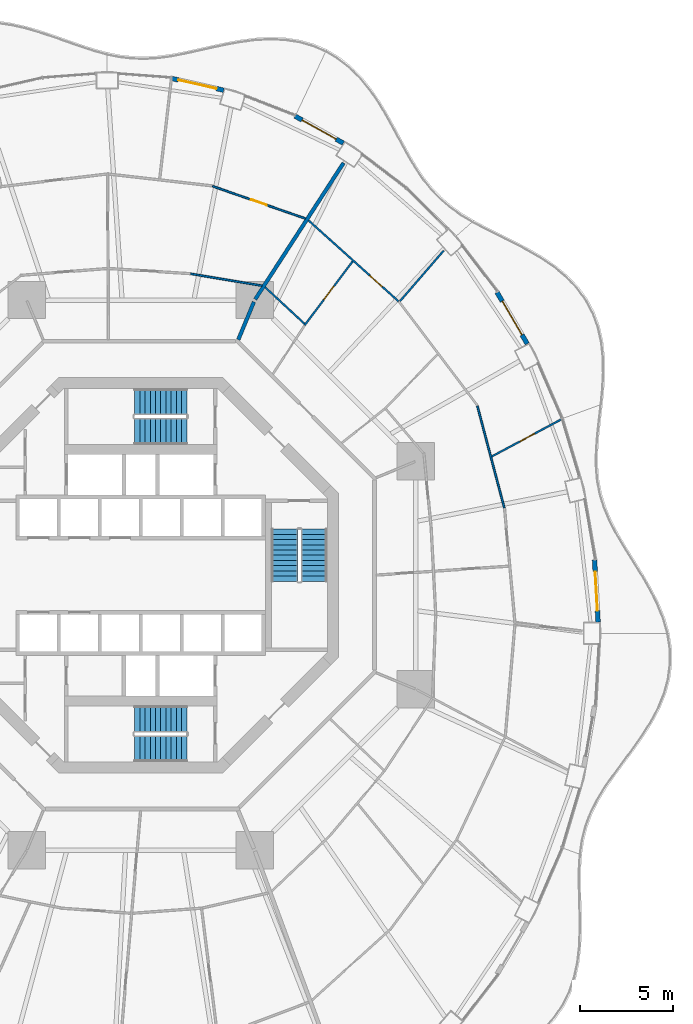
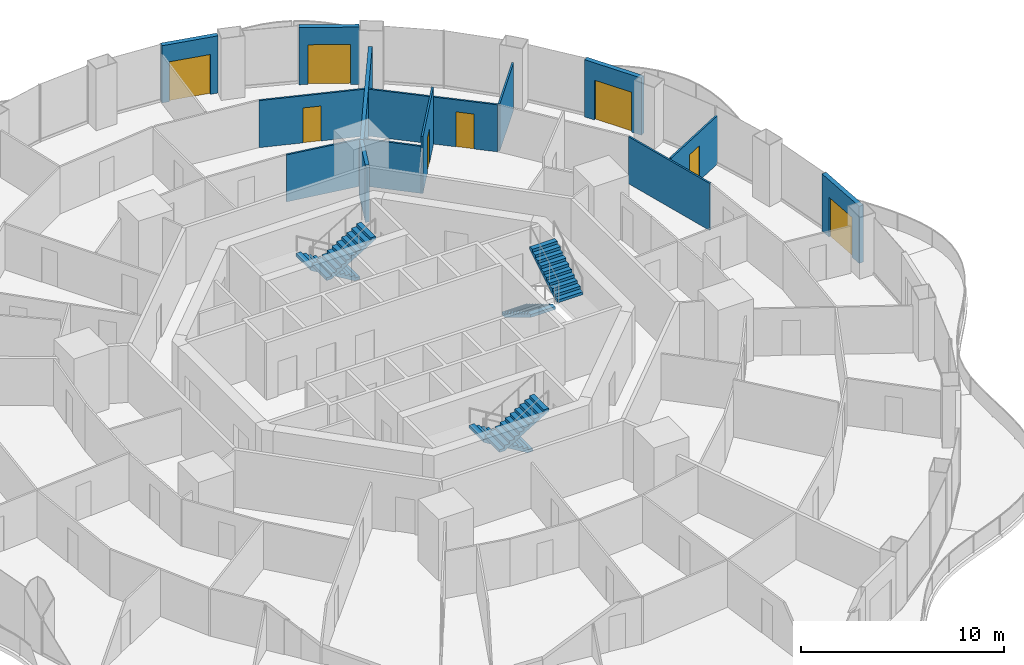
# One storey, part 16 of 19: 14 walls, 8 doors, 6 stair flights, 8 openings, 3 elements without a shape of their own.
"""IFC4 building model written with IfcOpenShell, lengths in metres."""

from ifc_helpers import new_model, si_unit, direction, frame, frame_2d, origin, place, context, subcontext, project, spatial, polyline, rectangle, outline, extrude, material, layer, layer_set, type_object, element, fill, aggregate, save


model = new_model("IFC4")

# Units and contexts
model_context = context("Model", 3, precision=1e-05, world=origin(), true_north=direction((0.0, 1.0)))
body_context = subcontext(model_context, "Body", "Model", "MODEL_VIEW")
ifc_project = project(units=[si_unit("LENGTHUNIT", "METRE"), si_unit("AREAUNIT", "SQUARE_METRE"), si_unit("VOLUMEUNIT", "CUBIC_METRE"), si_unit("PLANEANGLEUNIT", "RADIAN"), si_unit("MASSUNIT", "GRAM", prefix="KILO")], contexts=[model_context])

# Site, building, storey
site_placement = place(None, origin())
site = spatial("IfcSite", under=ifc_project, at=site_placement, CompositionType="ELEMENT")
building_placement = place(site_placement, origin())
building = spatial("IfcBuilding", under=site, at=building_placement, Name="Nagisa Residences", CompositionType="ELEMENT")
storey_placement = place(building_placement, frame((0.0, 0.0, 127.0)))
storey = spatial("IfcBuildingStorey", under=building, at=storey_placement, Name="L31", CompositionType="ELEMENT", Elevation=127.0)

# Walls
ifc_material_1 = material(Name="Gypsum board on steel studs", Category="steel")
ifc_layer_1 = layer(ifc_material_1, 0.199951171875)
ifc_layer_set_1 = layer_set([ifc_layer_1], Name="Apartment compartment wall EI60 200")
wall_type_1 = type_object("IfcWallType", Name="Apartment compartment wall EI60 200", PredefinedType="PARTITIONING", material=ifc_layer_set_1)
wall_1_placement = place(storey_placement, frame((5.24267578125, 12.6572265625, 0.0), z_axis=(0.0, 0.0, 1.0), x_axis=(0.38273085373, 0.923859888513, 0.0)))
element("IfcWall", 1, at=wall_1_placement, inside=storey, type_object=wall_type_1, Name="wall:L31:u00", PredefinedType="PARTITIONING", context=body_context, shape_type="SweptSolid", body=[
    extrude(rectangle(XDim=2.199462890625, YDim=0.199951171875, at=frame_2d((1.099609375, 0.0))), origin(), (0.0, 0.0, 1.0), 3.43994140625),
])
wall_2_placement = place(storey_placement, frame((6.150146484375, 14.823974609375, 0.0), z_axis=(0.0, 0.0, 1.0), x_axis=(0.543695254109, 0.839282711998, 0.0)))
element("IfcWall", 2, at=wall_2_placement, inside=storey, type_object=wall_type_1, Name="wall:L31:u01", PredefinedType="PARTITIONING", context=body_context, shape_type="SweptSolid", body=[
    extrude(rectangle(XDim=8.731201171875, YDim=0.199951171875, at=frame_2d((4.36572265625, 0.0))), origin(), (0.0, 0.0, 1.0), 2.827880859375),
])
ifc_material_2 = material(Name="Gypsum board on steel studs", Category="steel")
ifc_layer_2 = layer(ifc_material_2, 0.10009765625)
ifc_layer_set_2 = layer_set([ifc_layer_2], Name="Apartment partition 100")
wall_type_2 = type_object("IfcWallType", Name="Apartment partition 100", PredefinedType="PARTITIONING", material=ifc_layer_set_2)
wall_3_placement = place(storey_placement, frame((19.536865234375, 3.619873046875, 0.0), z_axis=(0.0, 0.0, 1.0), x_axis=(-0.255892560316, 0.966705227862, 0.0)))
element("IfcWall", 3, at=wall_3_placement, inside=storey, type_object=wall_type_2, Name="wall:L31:u21", PredefinedType="PARTITIONING", context=body_context, shape_type="SweptSolid", body=[
    extrude(rectangle(XDim=5.65869140625, YDim=0.10009765625, at=frame_2d((2.829345703125, 0.0))), origin(), (0.0, 0.0, 1.0), 2.827880859375),
])

# Wall, opening, door
wall_4_placement = place(storey_placement, frame((18.85693359375, 6.37841796875, 0.0), z_axis=(0.0, 0.0, 1.0), x_axis=(0.882223462934, 0.470830926607, 0.0)))
wall_4 = element("IfcWall", 4, at=wall_4_placement, inside=storey, type_object=wall_type_2, Name="wall:L31:u22", PredefinedType="PARTITIONING", context=body_context, shape_type="SweptSolid", body=[
    extrude(rectangle(XDim=4.333251953125, YDim=0.10009765625, at=frame_2d((2.16650390625, 0.0))), origin(), (0.0, 0.0, 1.0), 2.905029296875),
])
opening_1_placement = place(wall_4_placement, frame((1.716552734375, 0.0, 0.0)))
opening_1 = element("IfcOpeningElement", 5, at=opening_1_placement, cuts=wall_4, Name="Opening L31-U41", PredefinedType="OPENING", context=body_context, shape_type="SweptSolid", body=[
    extrude(rectangle(XDim=0.89990234375, YDim=2.10009765625, at=frame_2d((0.449951171875, 1.050048828125))), frame((0.0, 0.06005859375, 0.0), z_axis=(0.0, -1.0, 0.0), x_axis=(1.0, 0.0, 0.0)), (0.0, 0.0, 1.0), 0.1201171875),
])
ifc_material_3 = material(Name="Timber door set", Category="wood")
door_type_1 = type_object("IfcDoorType", Name="Apartment door 900x2100", OperationType="NOTDEFINED", PredefinedType="DOOR", material=ifc_material_3)
door_1_placement = place(opening_1_placement, origin())
door_1 = element("IfcDoor", 6, at=door_1_placement, inside=storey, type_object=door_type_1, Name="Door to master bedroom, Apartment 31C", OperationType="SINGLE_SWING_LEFT", OverallHeight=2.10009765625, OverallWidth=0.89990234375, PredefinedType="DOOR", context=body_context, shape_type="SweptSolid", body=[
    extrude(rectangle(XDim=0.89990234375, YDim=2.10009765625, at=frame_2d((0.449951171875, 1.050048828125))), frame((0.0, 0.02490234375, 0.0), z_axis=(0.0, -1.0, 0.0), x_axis=(1.0, 0.0, 0.0)), (0.0, 0.0, 1.0), 0.050048828125),
])
fill(opening_1, door_1)

# Wall
wall_5_placement = place(storey_placement, frame((13.926025390625, 14.71875, 0.0), z_axis=(0.0, 0.0, 1.0), x_axis=(0.653831857253, 0.756639876323, 0.0)))
element("IfcWall", 7, at=wall_5_placement, inside=storey, type_object=wall_type_2, Name="wall:L31:u28", PredefinedType="PARTITIONING", context=body_context, shape_type="SweptSolid", body=[
    extrude(rectangle(XDim=3.59765625, YDim=0.10009765625, at=frame_2d((1.798828125, 0.0))), origin(), (0.0, 0.0, 1.0), 2.827880859375),
])

# Wall, opening, door
wall_6_placement = place(storey_placement, frame((13.856201171875, 14.71435546875, 0.0), z_axis=(0.0, 0.0, 1.0), x_axis=(-0.743799395746, 0.668402916577, 0.0)))
wall_6 = element("IfcWall", 8, at=wall_6_placement, inside=storey, type_object=wall_type_2, Name="wall:L31:u29", PredefinedType="PARTITIONING", context=body_context, shape_type="SweptSolid", body=[
    extrude(rectangle(XDim=6.508544921875, YDim=0.10009765625, at=frame_2d((3.25439453125, 0.0))), origin(), (0.0, 0.0, 1.0), 2.827880859375),
])
opening_2_placement = place(wall_6_placement, frame((1.189697265625, 0.0, 0.0)))
opening_2 = element("IfcOpeningElement", 9, at=opening_2_placement, cuts=wall_6, Name="Opening L31-U42", PredefinedType="OPENING", context=body_context, shape_type="SweptSolid", body=[
    extrude(rectangle(XDim=0.89990234375, YDim=2.10009765625, at=frame_2d((0.449951171875, 1.050048828125))), frame((0.0, 0.06005859375, 0.0), z_axis=(0.0, -1.0, 0.0), x_axis=(1.0, 0.0, 0.0)), (0.0, 0.0, 1.0), 0.1201171875),
])
door_2_placement = place(opening_2_placement, frame((0.89990234375, 0.0, 0.0), x_axis=(-1.0, 0.0, 0.0)))
door_2 = element("IfcDoor", 10, at=door_2_placement, inside=storey, type_object=door_type_1, Name="Door to bedroom, Apartment 31C", OperationType="SINGLE_SWING_LEFT", OverallHeight=2.10009765625, OverallWidth=0.89990234375, PredefinedType="DOOR", context=body_context, shape_type="SweptSolid", body=[
    extrude(rectangle(XDim=0.89990234375, YDim=2.10009765625, at=frame_2d((0.449951171875, 1.050048828125))), frame((0.0, 0.02490234375, 0.0), z_axis=(0.0, -1.0, 0.0), x_axis=(1.0, 0.0, 0.0)), (0.0, 0.0, 1.0), 0.050048828125),
])
fill(opening_2, door_2)

wall_7_placement = place(storey_placement, frame((8.8095703125, 13.43408203125, 0.0), z_axis=(0.0, 0.0, 1.0), x_axis=(0.600491337497, 0.799631261014, 0.0)))
wall_7 = element("IfcWall", 11, at=wall_7_placement, inside=storey, type_object=wall_type_2, Name="wall:L31:u31", PredefinedType="PARTITIONING", context=body_context, shape_type="SweptSolid", body=[
    extrude(rectangle(XDim=4.292236328125, YDim=0.10009765625, at=frame_2d((2.14599609375, 0.0))), origin(), (0.0, 0.0, 1.0), 3.43994140625),
])
opening_3_placement = place(wall_7_placement, frame((1.72119140625, 0.0, 0.0)))
opening_3 = element("IfcOpeningElement", 12, at=opening_3_placement, cuts=wall_7, Name="Opening L31-U39", PredefinedType="OPENING", context=body_context, shape_type="SweptSolid", body=[
    extrude(rectangle(XDim=0.89990234375, YDim=2.10009765625, at=frame_2d((0.449951171875, 1.050048828125))), frame((0.0, 0.06005859375, 0.0), z_axis=(0.0, -1.0, 0.0), x_axis=(1.0, 0.0, 0.0)), (0.0, 0.0, 1.0), 0.1201171875),
])
door_3_placement = place(opening_3_placement, origin())
door_3 = element("IfcDoor", 13, at=door_3_placement, inside=storey, type_object=door_type_1, Name="Door to family bathroom, Apartment 31C", OperationType="SINGLE_SWING_LEFT", OverallHeight=2.10009765625, OverallWidth=0.89990234375, PredefinedType="DOOR", context=body_context, shape_type="SweptSolid", body=[
    extrude(rectangle(XDim=0.89990234375, YDim=2.10009765625, at=frame_2d((0.449951171875, 1.050048828125))), frame((0.0, 0.02490234375, 0.0), z_axis=(0.0, -1.0, 0.0), x_axis=(1.0, 0.0, 0.0)), (0.0, 0.0, 1.0), 0.050048828125),
])
fill(opening_3, door_3)

# Walls
wall_8_placement = place(storey_placement, frame((8.802978515625, 13.508056640625, 0.0), z_axis=(0.0, 0.0, 1.0), x_axis=(-0.733124766325, 0.680094167745, 0.0)))
element("IfcWall", 14, at=wall_8_placement, inside=storey, type_object=wall_type_2, Name="wall:L31:u32", PredefinedType="PARTITIONING", context=body_context, shape_type="SweptSolid", body=[
    extrude(rectangle(XDim=2.886474609375, YDim=0.10009765625, at=frame_2d((1.443359375, 0.0))), origin(), (0.0, 0.0, 1.0), 2.827880859375),
])
wall_9_placement = place(storey_placement, frame((6.5146484375, 15.5556640625, 0.0), z_axis=(0.0, 0.0, 1.0), x_axis=(-0.986271328884, 0.16513287323, 0.0)))
element("IfcWall", 15, at=wall_9_placement, inside=storey, type_object=wall_type_2, Name="wall:L31:u33", PredefinedType="PARTITIONING", context=body_context, shape_type="SweptSolid", body=[
    extrude(rectangle(XDim=3.8837890625, YDim=0.10009765625, at=frame_2d((1.94189453125, 0.0))), origin(), (0.0, 0.0, 1.0), 2.827880859375),
])

# Wall, opening, door
wall_10_placement = place(storey_placement, frame((8.84619140625, 19.16455078125, 0.0), z_axis=(0.0, 0.0, 1.0), x_axis=(-0.944186503813, 0.329411362915, 0.0)))
wall_10 = element("IfcWall", 16, at=wall_10_placement, inside=storey, type_object=wall_type_2, Name="wall:L31:u34", PredefinedType="PARTITIONING", context=body_context, shape_type="SweptSolid", body=[
    extrude(rectangle(XDim=5.293212890625, YDim=0.10009765625, at=frame_2d((2.646484375, 0.0))), origin(), (0.0, 0.0, 1.0), 2.827880859375),
])
opening_4_placement = place(wall_10_placement, frame((2.196533203125, 0.0, 0.0)))
opening_4 = element("IfcOpeningElement", 17, at=opening_4_placement, cuts=wall_10, Name="Opening L31-U12", PredefinedType="OPENING", context=body_context, shape_type="SweptSolid", body=[
    extrude(rectangle(XDim=0.89990234375, YDim=2.10009765625, at=frame_2d((0.449951171875, 1.050048828125))), frame((0.0, 0.06005859375, 0.0), z_axis=(0.0, -1.0, 0.0), x_axis=(1.0, 0.0, 0.0)), (0.0, 0.0, 1.0), 0.1201171875),
])
door_4_placement = place(opening_4_placement, frame((0.89990234375, 0.0, 0.0), x_axis=(-1.0, 0.0, 0.0)))
door_4 = element("IfcDoor", 18, at=door_4_placement, inside=storey, type_object=door_type_1, Name="Door to living room, Apartment 31A", OperationType="SINGLE_SWING_LEFT", OverallHeight=2.10009765625, OverallWidth=0.89990234375, PredefinedType="DOOR", context=body_context, shape_type="SweptSolid", body=[
    extrude(rectangle(XDim=0.89990234375, YDim=2.10009765625, at=frame_2d((0.449951171875, 1.050048828125))), frame((0.0, 0.02490234375, 0.0), z_axis=(0.0, -1.0, 0.0), x_axis=(1.0, 0.0, 0.0)), (0.0, 0.0, 1.0), 0.050048828125),
])
fill(opening_4, door_4)

ifc_material_4 = material(Name="Precast concrete C40/50", Category="concrete")
ifc_layer_3 = layer(ifc_material_4, 0.25)
ifc_layer_set_3 = layer_set([ifc_layer_3], Name="BALCONY DOOR WALL 250")
wall_type_3 = type_object("IfcWallType", Name="BALCONY DOOR WALL 250", PredefinedType="SOLIDWALL", material=ifc_layer_set_3)
wall_11_placement = place(storey_placement, frame((24.38330078125, 0.81640625, 0.0), z_axis=(0.0, 0.0, 1.0), x_axis=(0.05746514539, -0.998347513176, 0.0)))
wall_11 = element("IfcWall", 19, at=wall_11_placement, inside=storey, type_object=wall_type_3, Name="wall:L31:bay00", PredefinedType="SOLIDWALL", context=body_context, shape_type="SweptSolid", body=[
    extrude(rectangle(XDim=3.347900390625, YDim=0.25, at=frame_2d((1.673828125, 0.0))), origin(), (0.0, 0.0, 1.0), 3.43994140625),
])
opening_5_placement = place(wall_11_placement, frame((0.623779296875, 0.0, 0.0)))
opening_5 = element("IfcOpeningElement", 20, at=opening_5_placement, cuts=wall_11, Name="Opening BD-L31-01", PredefinedType="OPENING", context=body_context, shape_type="SweptSolid", body=[
    extrude(rectangle(XDim=2.10009765625, YDim=2.39990234375, at=frame_2d((1.050048828125, 1.199951171875))), frame((0.0, 0.135009765625, 0.0), z_axis=(0.0, -1.0, 0.0), x_axis=(1.0, 0.0, 0.0)), (0.0, 0.0, 1.0), 0.27001953125),
])
ifc_material_5 = material(Name="Aluminium and clear glass", Category="aluminium")
door_type_2 = type_object("IfcDoorType", Name="BALCONY SLIDING DOOR 2100x2400", OperationType="SLIDING_TO_LEFT", PredefinedType="DOOR", material=ifc_material_5)
door_5_placement = place(opening_5_placement, origin())
door_5 = element("IfcDoor", 21, at=door_5_placement, inside=storey, type_object=door_type_2, Name="door:L31:bay00", OperationType="SLIDING_TO_LEFT", OverallHeight=2.39990234375, OverallWidth=2.10009765625, PredefinedType="DOOR", context=body_context, shape_type="SweptSolid", body=[
    extrude(rectangle(XDim=2.10009765625, YDim=2.39990234375, at=frame_2d((1.050048828125, 1.199951171875))), frame((0.0, 0.02490234375, 0.0), z_axis=(0.0, -1.0, 0.0), x_axis=(1.0, 0.0, 0.0)), (0.0, 0.0, 1.0), 0.050048828125),
])
fill(opening_5, door_5)

wall_12_placement = place(storey_placement, frame((19.143798828125, 15.20068359375, 0.0), z_axis=(0.0, 0.0, 1.0), x_axis=(0.506314982873, -0.862348617508, 0.0)))
wall_12 = element("IfcWall", 22, at=wall_12_placement, inside=storey, type_object=wall_type_3, Name="wall:L31:bay04", PredefinedType="SOLIDWALL", context=body_context, shape_type="SweptSolid", body=[
    extrude(rectangle(XDim=3.20849609375, YDim=0.25, at=frame_2d((1.604248046875, 0.0))), origin(), (0.0, 0.0, 1.0), 3.43994140625),
])
opening_6_placement = place(wall_12_placement, frame((0.55419921875, 0.0, 0.0)))
opening_6 = element("IfcOpeningElement", 23, at=opening_6_placement, cuts=wall_12, Name="Opening BD-L31-02", PredefinedType="OPENING", context=body_context, shape_type="SweptSolid", body=[
    extrude(rectangle(XDim=2.10009765625, YDim=2.39990234375, at=frame_2d((1.050048828125, 1.199951171875))), frame((0.0, 0.135009765625, 0.0), z_axis=(0.0, -1.0, 0.0), x_axis=(1.0, 0.0, 0.0)), (0.0, 0.0, 1.0), 0.27001953125),
])
door_6_placement = place(opening_6_placement, origin())
door_6 = element("IfcDoor", 24, at=door_6_placement, inside=storey, type_object=door_type_2, Name="door:L31:bay04", OperationType="SLIDING_TO_LEFT", OverallHeight=2.39990234375, OverallWidth=2.10009765625, PredefinedType="DOOR", context=body_context, shape_type="SweptSolid", body=[
    extrude(rectangle(XDim=2.10009765625, YDim=2.39990234375, at=frame_2d((1.050048828125, 1.199951171875))), frame((0.0, 0.02490234375, 0.0), z_axis=(0.0, -1.0, 0.0), x_axis=(1.0, 0.0, 0.0)), (0.0, 0.0, 1.0), 0.050048828125),
])
fill(opening_6, door_6)

wall_13_placement = place(storey_placement, frame((8.293212890625, 24.669921875, 0.0), z_axis=(0.0, 0.0, 1.0), x_axis=(0.87206688547, -0.489386705241, 0.0)))
wall_13 = element("IfcWall", 25, at=wall_13_placement, inside=storey, type_object=wall_type_3, Name="wall:L31:bay08", PredefinedType="SOLIDWALL", context=body_context, shape_type="SweptSolid", body=[
    extrude(rectangle(XDim=2.9697265625, YDim=0.25, at=frame_2d((1.48486328125, 0.0))), origin(), (0.0, 0.0, 1.0), 3.43994140625),
])
opening_7_placement = place(wall_13_placement, frame((0.434814453125, 0.0, 0.0)))
opening_7 = element("IfcOpeningElement", 26, at=opening_7_placement, cuts=wall_13, Name="Opening BD-L31-03", PredefinedType="OPENING", context=body_context, shape_type="SweptSolid", body=[
    extrude(rectangle(XDim=2.10009765625, YDim=2.39990234375, at=frame_2d((1.050048828125, 1.199951171875))), frame((0.0, 0.135009765625, 0.0), z_axis=(0.0, -1.0, 0.0), x_axis=(1.0, 0.0, 0.0)), (0.0, 0.0, 1.0), 0.27001953125),
])
door_7_placement = place(opening_7_placement, origin())
door_7 = element("IfcDoor", 27, at=door_7_placement, inside=storey, type_object=door_type_2, Name="door:L31:bay08", OperationType="SLIDING_TO_LEFT", OverallHeight=2.39990234375, OverallWidth=2.10009765625, PredefinedType="DOOR", context=body_context, shape_type="SweptSolid", body=[
    extrude(rectangle(XDim=2.10009765625, YDim=2.39990234375, at=frame_2d((1.050048828125, 1.199951171875))), frame((0.0, 0.02490234375, 0.0), z_axis=(0.0, -1.0, 0.0), x_axis=(1.0, 0.0, 0.0)), (0.0, 0.0, 1.0), 0.050048828125),
])
fill(opening_7, door_7)

wall_14_placement = place(storey_placement, frame((1.635986328125, 26.697021484375, 0.0), z_axis=(0.0, 0.0, 1.0), x_axis=(0.975339035722, -0.220711951186, 0.0)))
wall_14 = element("IfcWall", 28, at=wall_14_placement, inside=storey, type_object=wall_type_3, Name="wall:L31:bay10", PredefinedType="SOLIDWALL", context=body_context, shape_type="SweptSolid", body=[
    extrude(rectangle(XDim=2.890380859375, YDim=0.25, at=frame_2d((1.4453125, 0.0))), origin(), (0.0, 0.0, 1.0), 3.43994140625),
])
opening_8_placement = place(wall_14_placement, frame((0.395263671875, 0.0, 0.0)))
opening_8 = element("IfcOpeningElement", 29, at=opening_8_placement, cuts=wall_14, Name="Opening BD-L31-04", PredefinedType="OPENING", context=body_context, shape_type="SweptSolid", body=[
    extrude(rectangle(XDim=2.10009765625, YDim=2.39990234375, at=frame_2d((1.050048828125, 1.199951171875))), frame((0.0, 0.135009765625, 0.0), z_axis=(0.0, -1.0, 0.0), x_axis=(1.0, 0.0, 0.0)), (0.0, 0.0, 1.0), 0.27001953125),
])
door_8_placement = place(opening_8_placement, origin())
door_8 = element("IfcDoor", 30, at=door_8_placement, inside=storey, type_object=door_type_2, Name="door:L31:bay10", OperationType="SLIDING_TO_LEFT", OverallHeight=2.39990234375, OverallWidth=2.10009765625, PredefinedType="DOOR", context=body_context, shape_type="SweptSolid", body=[
    extrude(rectangle(XDim=2.10009765625, YDim=2.39990234375, at=frame_2d((1.050048828125, 1.199951171875))), frame((0.0, 0.02490234375, 0.0), z_axis=(0.0, -1.0, 0.0), x_axis=(1.0, 0.0, 0.0)), (0.0, 0.0, 1.0), 0.050048828125),
])
fill(opening_8, door_8)

# Stair, stair flights
ifc_material_6 = material(Name="Concrete C60", Category="concrete")
stair_type = type_object("IfcStairType", Name="Exit stair", PredefinedType="HALF_TURN_STAIR", material=ifc_material_6)
stair_1_placement = place(storey_placement, origin())
stair_1 = element("IfcStair", 31, at=stair_1_placement, inside=storey, type_object=stair_type, Name="L31 Exit stair E", PredefinedType="HALF_TURN_STAIR")
ifc_material_7 = material(Name="Concrete C60", Category="concrete")
stair_flight_type = type_object("IfcStairFlightType", Name="Exit stair flight", PredefinedType="STRAIGHT", material=ifc_material_7)
stair_flight_1_placement = place(storey_placement, frame((7.737060546875, 2.47509765625, 0.0), z_axis=(0.0, 0.0, 1.0), x_axis=(0.0, -1.0, 0.0)))
stair_flight_1 = element("IfcStairFlight", 32, at=stair_flight_1_placement, type_object=stair_flight_type, Name="ST-E flight 1", NumberOfRisers=11, NumberOfTreads=10, PredefinedType="STRAIGHT", RiserHeight=0.168181818, TreadLength=0.28, context=body_context, shape_type="SweptSolid", body=[
    extrude(outline(polyline([(0.0, 0.0), (0.0, 0.168212890625), (0.280029296875, 0.168212890625), (0.280029296875, 0.33642578125), (0.56005859375, 0.33642578125), (0.56005859375, 0.504638671875), (0.840087890625, 0.504638671875), (0.840087890625, 0.672607421875), (1.1201171875, 0.672607421875), (1.1201171875, 0.8408203125), (1.39990234375, 0.8408203125), (1.39990234375, 1.009033203125), (1.679931640625, 1.009033203125), (1.679931640625, 1.17724609375), (1.9599609375, 1.17724609375), (1.9599609375, 1.345458984375), (2.239990234375, 1.345458984375), (2.239990234375, 1.513671875), (2.52001953125, 1.513671875), (2.52001953125, 1.681884765625), (2.800048828125, 1.681884765625), (2.800048828125, 1.85009765625), (2.800048828125, 1.5068359375), (0.291015625, 0.0), (0.0, 0.0)])), frame((0.0, 0.71240234375, 0.0), z_axis=(0.0, -1.0, 0.0), x_axis=(1.0, 0.0, 0.0)), (0.0, 0.0, 1.0), 1.425048828125),
])
stair_flight_2_placement = place(storey_placement, frame((9.31201171875, -0.324951171875, 1.85009765625), z_axis=(0.0, 0.0, 1.0), x_axis=(0.0, 1.0, 0.0)))
stair_flight_2 = element("IfcStairFlight", 33, at=stair_flight_2_placement, type_object=stair_flight_type, Name="ST-E flight 2", NumberOfRisers=11, NumberOfTreads=10, PredefinedType="STRAIGHT", RiserHeight=0.168181818, TreadLength=0.28, context=body_context, shape_type="SweptSolid", body=[
    extrude(outline(polyline([(0.0, 0.0), (0.0, 0.168212890625), (0.280029296875, 0.168212890625), (0.280029296875, 0.33642578125), (0.56005859375, 0.33642578125), (0.56005859375, 0.504638671875), (0.840087890625, 0.504638671875), (0.840087890625, 0.672607421875), (1.1201171875, 0.672607421875), (1.1201171875, 0.8408203125), (1.39990234375, 0.8408203125), (1.39990234375, 1.009033203125), (1.679931640625, 1.009033203125), (1.679931640625, 1.17724609375), (1.9599609375, 1.17724609375), (1.9599609375, 1.345458984375), (2.239990234375, 1.345458984375), (2.239990234375, 1.513671875), (2.52001953125, 1.513671875), (2.52001953125, 1.681884765625), (2.800048828125, 1.681884765625), (2.800048828125, 1.85009765625), (2.800048828125, 1.5068359375), (0.291015625, 0.0), (0.0, 0.0)])), frame((0.0, 0.71240234375, 0.0), z_axis=(0.0, -1.0, 0.0), x_axis=(1.0, 0.0, 0.0)), (0.0, 0.0, 1.0), 1.425048828125),
])
aggregate(stair_1, [stair_flight_1, stair_flight_2])

stair_2_placement = place(storey_placement, origin())
stair_2 = element("IfcStair", 34, at=stair_2_placement, inside=storey, type_object=stair_type, Name="L31 Exit stair N", PredefinedType="HALF_TURN_STAIR")
stair_flight_3_placement = place(storey_placement, frame((2.47509765625, 9.31201171875, 0.0), z_axis=(0.0, 0.0, 1.0), x_axis=(-1.0, 0.0, 0.0)))
stair_flight_3 = element("IfcStairFlight", 35, at=stair_flight_3_placement, type_object=stair_flight_type, Name="ST-N flight 1", NumberOfRisers=11, NumberOfTreads=10, PredefinedType="STRAIGHT", RiserHeight=0.168181818, TreadLength=0.28, context=body_context, shape_type="SweptSolid", body=[
    extrude(outline(polyline([(0.0, 0.0), (0.0, 0.168212890625), (0.280029296875, 0.168212890625), (0.280029296875, 0.33642578125), (0.56005859375, 0.33642578125), (0.56005859375, 0.504638671875), (0.840087890625, 0.504638671875), (0.840087890625, 0.672607421875), (1.1201171875, 0.672607421875), (1.1201171875, 0.8408203125), (1.39990234375, 0.8408203125), (1.39990234375, 1.009033203125), (1.679931640625, 1.009033203125), (1.679931640625, 1.17724609375), (1.9599609375, 1.17724609375), (1.9599609375, 1.345458984375), (2.239990234375, 1.345458984375), (2.239990234375, 1.513671875), (2.52001953125, 1.513671875), (2.52001953125, 1.681884765625), (2.800048828125, 1.681884765625), (2.800048828125, 1.85009765625), (2.800048828125, 1.5068359375), (0.291015625, 0.0), (0.0, 0.0)])), frame((0.0, 0.71240234375, 0.0), z_axis=(0.0, -1.0, 0.0), x_axis=(1.0, 0.0, 0.0)), (0.0, 0.0, 1.0), 1.425048828125),
])
stair_flight_4_placement = place(storey_placement, frame((-0.324951171875, 7.737060546875, 1.85009765625), z_axis=(0.0, 0.0, 1.0), x_axis=(1.0, 0.0, 0.0)))
stair_flight_4 = element("IfcStairFlight", 36, at=stair_flight_4_placement, type_object=stair_flight_type, Name="ST-N flight 2", NumberOfRisers=11, NumberOfTreads=10, PredefinedType="STRAIGHT", RiserHeight=0.168181818, TreadLength=0.28, context=body_context, shape_type="SweptSolid", body=[
    extrude(outline(polyline([(0.0, 0.0), (0.0, 0.168212890625), (0.280029296875, 0.168212890625), (0.280029296875, 0.33642578125), (0.56005859375, 0.33642578125), (0.56005859375, 0.504638671875), (0.840087890625, 0.504638671875), (0.840087890625, 0.672607421875), (1.1201171875, 0.672607421875), (1.1201171875, 0.8408203125), (1.39990234375, 0.8408203125), (1.39990234375, 1.009033203125), (1.679931640625, 1.009033203125), (1.679931640625, 1.17724609375), (1.9599609375, 1.17724609375), (1.9599609375, 1.345458984375), (2.239990234375, 1.345458984375), (2.239990234375, 1.513671875), (2.52001953125, 1.513671875), (2.52001953125, 1.681884765625), (2.800048828125, 1.681884765625), (2.800048828125, 1.85009765625), (2.800048828125, 1.5068359375), (0.291015625, 0.0), (0.0, 0.0)])), frame((0.0, 0.71240234375, 0.0), z_axis=(0.0, -1.0, 0.0), x_axis=(1.0, 0.0, 0.0)), (0.0, 0.0, 1.0), 1.425048828125),
])
aggregate(stair_2, [stair_flight_3, stair_flight_4])

stair_3_placement = place(storey_placement, origin())
stair_3 = element("IfcStair", 37, at=stair_3_placement, inside=storey, type_object=stair_type, Name="L31 Exit stair S", PredefinedType="HALF_TURN_STAIR")
stair_flight_5_placement = place(storey_placement, frame((2.47509765625, -7.737060546875, 0.0), z_axis=(0.0, 0.0, 1.0), x_axis=(-1.0, 0.0, 0.0)))
stair_flight_5 = element("IfcStairFlight", 38, at=stair_flight_5_placement, type_object=stair_flight_type, Name="ST-S flight 1", NumberOfRisers=11, NumberOfTreads=10, PredefinedType="STRAIGHT", RiserHeight=0.168181818, TreadLength=0.28, context=body_context, shape_type="SweptSolid", body=[
    extrude(outline(polyline([(0.0, 0.0), (0.0, 0.168212890625), (0.280029296875, 0.168212890625), (0.280029296875, 0.33642578125), (0.56005859375, 0.33642578125), (0.56005859375, 0.504638671875), (0.840087890625, 0.504638671875), (0.840087890625, 0.672607421875), (1.1201171875, 0.672607421875), (1.1201171875, 0.8408203125), (1.39990234375, 0.8408203125), (1.39990234375, 1.009033203125), (1.679931640625, 1.009033203125), (1.679931640625, 1.17724609375), (1.9599609375, 1.17724609375), (1.9599609375, 1.345458984375), (2.239990234375, 1.345458984375), (2.239990234375, 1.513671875), (2.52001953125, 1.513671875), (2.52001953125, 1.681884765625), (2.800048828125, 1.681884765625), (2.800048828125, 1.85009765625), (2.800048828125, 1.5068359375), (0.291015625, 0.0), (0.0, 0.0)])), frame((0.0, 0.71240234375, 0.0), z_axis=(0.0, -1.0, 0.0), x_axis=(1.0, 0.0, 0.0)), (0.0, 0.0, 1.0), 1.425048828125),
])
stair_flight_6_placement = place(storey_placement, frame((-0.324951171875, -9.31201171875, 1.85009765625), z_axis=(0.0, 0.0, 1.0), x_axis=(1.0, 0.0, 0.0)))
stair_flight_6 = element("IfcStairFlight", 39, at=stair_flight_6_placement, type_object=stair_flight_type, Name="ST-S flight 2", NumberOfRisers=11, NumberOfTreads=10, PredefinedType="STRAIGHT", RiserHeight=0.168181818, TreadLength=0.28, context=body_context, shape_type="SweptSolid", body=[
    extrude(outline(polyline([(0.0, 0.0), (0.0, 0.168212890625), (0.280029296875, 0.168212890625), (0.280029296875, 0.33642578125), (0.56005859375, 0.33642578125), (0.56005859375, 0.504638671875), (0.840087890625, 0.504638671875), (0.840087890625, 0.672607421875), (1.1201171875, 0.672607421875), (1.1201171875, 0.8408203125), (1.39990234375, 0.8408203125), (1.39990234375, 1.009033203125), (1.679931640625, 1.009033203125), (1.679931640625, 1.17724609375), (1.9599609375, 1.17724609375), (1.9599609375, 1.345458984375), (2.239990234375, 1.345458984375), (2.239990234375, 1.513671875), (2.52001953125, 1.513671875), (2.52001953125, 1.681884765625), (2.800048828125, 1.681884765625), (2.800048828125, 1.85009765625), (2.800048828125, 1.5068359375), (0.291015625, 0.0), (0.0, 0.0)])), frame((0.0, 0.71240234375, 0.0), z_axis=(0.0, -1.0, 0.0), x_axis=(1.0, 0.0, 0.0)), (0.0, 0.0, 1.0), 1.425048828125),
])
aggregate(stair_3, [stair_flight_5, stair_flight_6])

save(model, "model.ifc")
